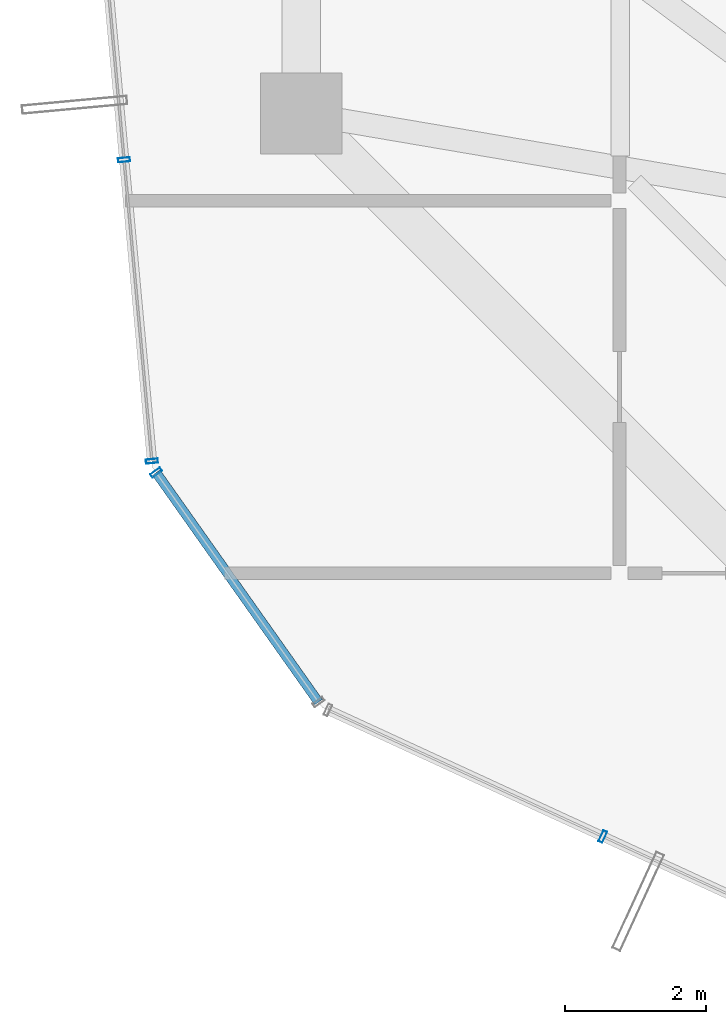
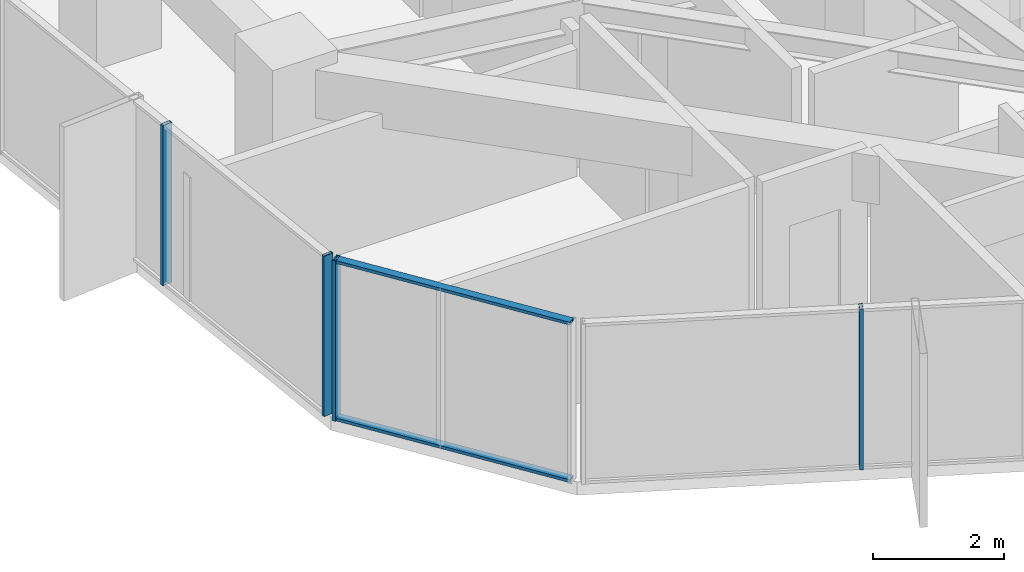
# One storey, part 4 of 33: 6 members, 3 elements without a shape of their own.
"""IFC4 building model written with IfcOpenShell, lengths in metres."""

from ifc_helpers import new_model, si_unit, direction, frame, origin, origin_2d, place, context, subcontext, project, spatial, hollow_rectangle, extrude, source, transform, mapped, material, layer, layer_set, material_profile, profile_set, type_object, element, aggregate, save


model = new_model("IFC4")

# Units and contexts
model_context = context("Model", 3, precision=1e-05, world=origin(), true_north=direction((0.0, 1.0)))
body_context = subcontext(model_context, "Body", "Model", "MODEL_VIEW")
ifc_project = project(units=[si_unit("LENGTHUNIT", "METRE"), si_unit("AREAUNIT", "SQUARE_METRE"), si_unit("VOLUMEUNIT", "CUBIC_METRE"), si_unit("PLANEANGLEUNIT", "RADIAN"), si_unit("MASSUNIT", "GRAM", prefix="KILO")], contexts=[model_context])

# Site, building, storey
site_placement = place(None, origin())
site = spatial("IfcSite", under=ifc_project, at=site_placement, CompositionType="ELEMENT")
building_placement = place(site_placement, origin())
building = spatial("IfcBuilding", under=site, at=building_placement, Name="Veraguas Prism Commons", CompositionType="ELEMENT")
storey_placement = place(building_placement, frame((0.0, 0.0, 145.75)))
storey = spatial("IfcBuildingStorey", under=building, at=storey_placement, Name="L41", CompositionType="ELEMENT", Elevation=145.75)

# Curtain wall, members
ifc_material = material(Name="Anodised aluminium EN AW-6063 T6", Category="aluminium")
ifc_layer = layer(ifc_material, 0.169921875, Name="Unitised Flush Curtain Wall Zone 2", Category="aluminium")
ifc_layer_set = layer_set([ifc_layer], Name="Anodised aluminium EN AW-6063 T6")
curtain_wall_type = type_object("IfcCurtainWallType", Name="Unitised Flush Curtain Wall Zone 2", PredefinedType="NOTDEFINED", material=ifc_layer_set)
curtain_wall_1_placement = place(storey_placement, origin())
curtain_wall_1 = element("IfcCurtainWall", 1, at=curtain_wall_1_placement, inside=storey, type_object=curtain_wall_type, Name="Tower Facade Curtain Wall L41-F3", PredefinedType="NOTDEFINED")
ifc_material_profile_1 = material_profile(ifc_material, hollow_rectangle(XDim=0.06005859375, YDim=0.169921875, WallThickness=0.00390625, at=origin_2d()), Name="AL60X170X4")
ifc_profile_set_1 = profile_set([ifc_material_profile_1], Name="Anodised aluminium EN AW-6063 T6")
member_type_1 = type_object("IfcMemberType", Name="Curtain Wall Mullion Lower AL 60x170x4", PredefinedType="MULLION", material=ifc_profile_set_1)
shared_shape_1 = source(origin(), body_context, "Body", "SweptSolid", [
    extrude(hollow_rectangle(XDim=0.06005859375, YDim=0.169921875, WallThickness=0.00390625, at=origin_2d()), origin(), (0.0, 0.0, 1.0), 3.0),
])
member_1_placement = place(storey_placement, frame((5.29541015625, 17.9443359375, 0.0), z_axis=(0.0, 0.0, 1.0), x_axis=(0.092024746261, -0.995756720327, 0.0)))
member_1 = element("IfcMember", 2, at=member_1_placement, type_object=member_type_1, Name="CW-Z2 Mullion 4", PredefinedType="MULLION", context=body_context, shape_type="MappedRepresentation", body=[
    mapped(shared_shape_1, transform((0.0, 0.0, 0.0), scale=1.0)),
])
member_2_placement = place(storey_placement, frame((5.689208984375, 13.68408203125, 0.0), z_axis=(0.0, 0.0, 1.0), x_axis=(0.092024746261, -0.995756720327, 0.0)))
member_2 = element("IfcMember", 3, at=member_2_placement, type_object=member_type_1, Name="CW-Z2 Mullion 5", PredefinedType="MULLION", context=body_context, shape_type="MappedRepresentation", body=[
    mapped(shared_shape_1, transform((0.0, 0.0, 0.0), scale=1.0)),
])
aggregate(curtain_wall_1, [member_1, member_2])

# Curtain wall, member
curtain_wall_2_placement = place(storey_placement, origin())
curtain_wall_2 = element("IfcCurtainWall", 4, at=curtain_wall_2_placement, inside=storey, type_object=curtain_wall_type, Name="Tower Facade Curtain Wall L41-F4", PredefinedType="NOTDEFINED")
member_3_placement = place(storey_placement, frame((12.064453125, 8.377197265625, 0.0), z_axis=(0.0, 0.0, 1.0), x_axis=(0.908362988922, -0.418182592124, 0.0)))
member_3 = element("IfcMember", 5, at=member_3_placement, type_object=member_type_1, Name="CW-Z2 Mullion 2", PredefinedType="MULLION", context=body_context, shape_type="MappedRepresentation", body=[
    mapped(shared_shape_1, transform((0.0, 0.0, 0.0), scale=1.0)),
])
aggregate(curtain_wall_2, [member_3])

# Curtain wall, members
curtain_wall_3_placement = place(storey_placement, origin())
curtain_wall_3 = element("IfcCurtainWall", 6, at=curtain_wall_3_placement, inside=storey, type_object=curtain_wall_type, Name="Chamfer Curtain Wall L41-C4", PredefinedType="NOTDEFINED")
member_4_placement = place(storey_placement, frame((5.74951171875, 13.52099609375, 0.0), z_axis=(0.0, 0.0, 1.0), x_axis=(0.577568429072, -0.81634227487, 0.0)))
member_4 = element("IfcMember", 7, at=member_4_placement, type_object=member_type_1, Name="CW-Z2 Mullion 1", PredefinedType="MULLION", context=body_context, shape_type="MappedRepresentation", body=[
    mapped(shared_shape_1, transform((0.0, 0.0, 0.0), scale=1.0)),
])
ifc_material_profile_2 = material_profile(ifc_material, hollow_rectangle(XDim=0.054931640625, YDim=0.135009765625, WallThickness=0.0029296875, at=origin_2d()), Name="AL55X135X3")
ifc_profile_set_2 = profile_set([ifc_material_profile_2], Name="Anodised aluminium EN AW-6063 T6")
member_type_2 = type_object("IfcMemberType", Name="Curtain Wall Transom Standard AL 55x135x3", PredefinedType="USERDEFINED", material=ifc_profile_set_2)
shared_shape_2 = source(origin(), body_context, "Body", "SweptSolid", [
    extrude(hollow_rectangle(XDim=0.054931640625, YDim=0.135009765625, WallThickness=0.0029296875, at=origin_2d()), origin(), (0.0, 0.0, 1.0), 3.97314453125),
])
member_5_placement = place(storey_placement, frame((5.74951171875, 13.52099609375, 0.027587890625), z_axis=(0.577558620149, -0.81634921467, 0.0), x_axis=(0.0, 0.0, 1.0)))
member_5 = element("IfcMember", 8, at=member_5_placement, type_object=member_type_2, Name="CW-Z2 Transom 1", ObjectType="TRANSOM", PredefinedType="USERDEFINED", context=body_context, shape_type="MappedRepresentation", body=[
    mapped(shared_shape_2, transform((0.0, 0.0, 0.0), scale=1.0)),
])
member_6_placement = place(storey_placement, frame((5.74951171875, 13.52099609375, 2.972412109375), z_axis=(0.577558620149, -0.81634921467, 0.0), x_axis=(0.0, 0.0, 1.0)))
member_6 = element("IfcMember", 9, at=member_6_placement, type_object=member_type_2, Name="CW-Z2 Transom 2", ObjectType="TRANSOM", PredefinedType="USERDEFINED", context=body_context, shape_type="MappedRepresentation", body=[
    mapped(shared_shape_2, transform((0.0, 0.0, 0.0), scale=1.0)),
])
aggregate(curtain_wall_3, [member_4, member_5, member_6])

save(model, "model.ifc")
